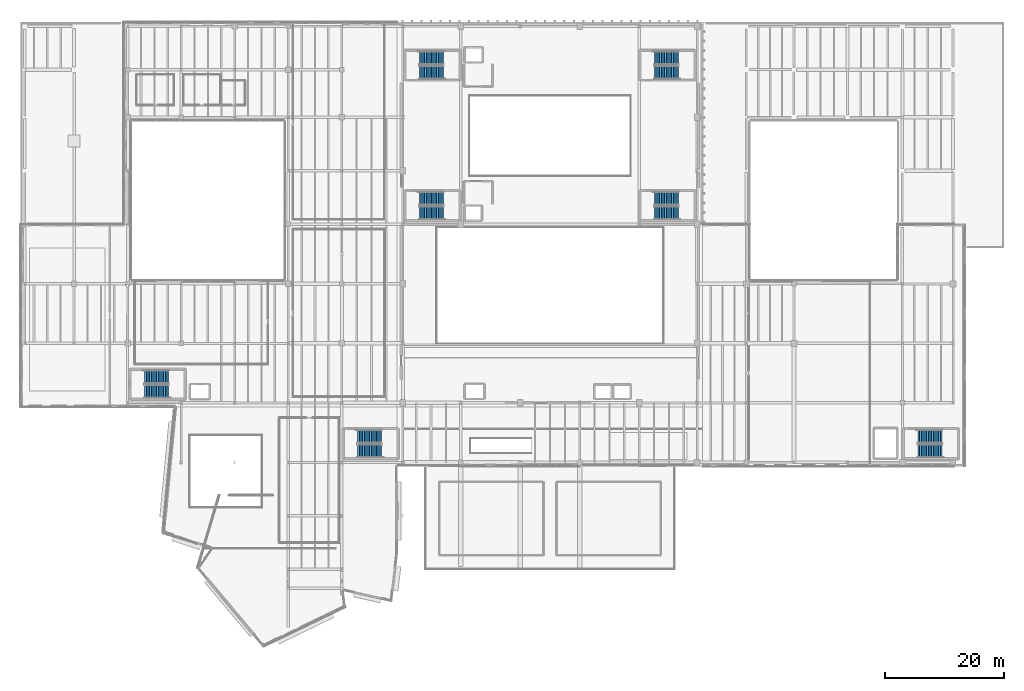
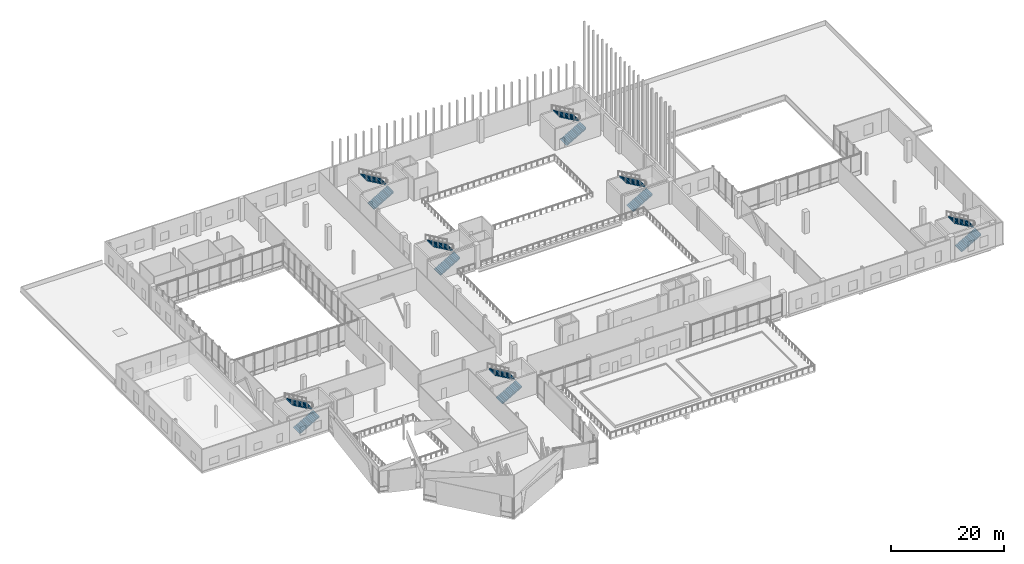
# One storey, part 48 of 60: 14 stair flights, 7 elements without a shape of their own.
"""IFC4 building model written with IfcOpenShell, lengths in metres."""

from ifc_helpers import new_model, si_unit, direction, frame, origin, place, context, subcontext, project, spatial, polyline, outline, extrude, material, type_object, element, aggregate, save


model = new_model("IFC4")

# Units and contexts
model_context = context("Model", 3, precision=1e-05, world=origin(), true_north=direction((0.0, 1.0)))
body_context = subcontext(model_context, "Body", "Model", "MODEL_VIEW")
ifc_project = project(units=[si_unit("LENGTHUNIT", "METRE"), si_unit("AREAUNIT", "SQUARE_METRE"), si_unit("VOLUMEUNIT", "CUBIC_METRE"), si_unit("PLANEANGLEUNIT", "RADIAN"), si_unit("MASSUNIT", "GRAM", prefix="KILO")], contexts=[model_context])

# Site, building, storey
site_placement = place(None, origin())
site = spatial("IfcSite", under=ifc_project, at=site_placement, CompositionType="ELEMENT")
building_placement = place(site_placement, origin())
building = spatial("IfcBuilding", under=site, at=building_placement, Name="Trimount Lyric Opera House", CompositionType="ELEMENT")
storey_placement = place(building_placement, frame((0.0, 0.0, 15.0)))
storey = spatial("IfcBuildingStorey", under=building, at=storey_placement, Name="L03", CompositionType="ELEMENT", Elevation=15.0)

# Stair, stair flights
ifc_material_1 = material(Name="Concrete C40/50", Category="concrete")
stair_type = type_object("IfcStairType", Name="STR-CORE-A", PredefinedType="TWO_QUARTER_TURN_STAIR", material=ifc_material_1)
stair_1_placement = place(storey_placement, origin())
stair_1 = element("IfcStair", 1, at=stair_1_placement, inside=storey, type_object=stair_type, Name="L03 Exit Stair ST-01", PredefinedType="TWO_QUARTER_TURN_STAIR")
ifc_material_2 = material(Name="Concrete C40/50", Category="concrete")
stair_flight_type = type_object("IfcStairFlightType", Name="SFL-CORE-A", PredefinedType="STRAIGHT", material=ifc_material_2)
stair_flight_1_placement = place(storey_placement, frame((67.050048828125, 109.52490234375, 0.0), z_axis=(0.0, 0.0, 1.0), x_axis=(1.0, 0.0, 0.0)))
stair_flight_1 = element("IfcStairFlight", 2, at=stair_flight_1_placement, type_object=stair_flight_type, Name="ST-01 flight 1", NumberOfRisers=15, NumberOfTreads=14, PredefinedType="STRAIGHT", RiserHeight=0.166666667, TreadLength=0.29, context=body_context, shape_type="SweptSolid", body=[
    extrude(outline(polyline([(0.0, 0.0), (0.0, 0.166748046875), (0.2900390625, 0.166748046875), (0.2900390625, 0.333251953125), (0.580078125, 0.333251953125), (0.580078125, 0.5), (0.8701171875, 0.5), (0.8701171875, 0.666748046875), (1.159912109375, 0.666748046875), (1.159912109375, 0.833251953125), (1.449951171875, 0.833251953125), (1.449951171875, 1.0), (1.739990234375, 1.0), (1.739990234375, 1.166748046875), (2.030029296875, 1.166748046875), (2.030029296875, 1.333251953125), (2.320068359375, 1.333251953125), (2.320068359375, 1.5), (2.610107421875, 1.5), (2.610107421875, 1.666748046875), (2.89990234375, 1.666748046875), (2.89990234375, 1.833251953125), (3.18994140625, 1.833251953125), (3.18994140625, 2.0), (3.47998046875, 2.0), (3.47998046875, 2.166748046875), (3.77001953125, 2.166748046875), (3.77001953125, 2.333251953125), (4.0439453125, 2.333251953125), (4.06005859375, 2.5), (4.06005859375, 2.160400390625), (0.30078125, 0.0), (0.0, 0.0)])), frame((0.0, 1.125, 0.0), z_axis=(0.0, -1.0, 0.0), x_axis=(1.0, 0.0, 0.0)), (0.0, 0.0, 1.0), 2.25),
])
stair_flight_2_placement = place(storey_placement, frame((71.110107421875, 111.97509765625, 2.5), z_axis=(0.0, 0.0, 1.0), x_axis=(-1.0, 0.0, 0.0)))
stair_flight_2 = element("IfcStairFlight", 3, at=stair_flight_2_placement, type_object=stair_flight_type, Name="ST-01 flight 2", NumberOfRisers=15, NumberOfTreads=14, PredefinedType="STRAIGHT", RiserHeight=0.166666667, TreadLength=0.29, context=body_context, shape_type="SweptSolid", body=[
    extrude(outline(polyline([(0.0, 0.0), (0.0, 0.166748046875), (0.2900390625, 0.166748046875), (0.2900390625, 0.333251953125), (0.580078125, 0.333251953125), (0.580078125, 0.5), (0.8701171875, 0.5), (0.8701171875, 0.666748046875), (1.159912109375, 0.666748046875), (1.159912109375, 0.833251953125), (1.449951171875, 0.833251953125), (1.449951171875, 1.0), (1.739990234375, 1.0), (1.739990234375, 1.166748046875), (2.030029296875, 1.166748046875), (2.030029296875, 1.333251953125), (2.320068359375, 1.333251953125), (2.320068359375, 1.5), (2.610107421875, 1.5), (2.610107421875, 1.666748046875), (2.89990234375, 1.666748046875), (2.89990234375, 1.833251953125), (3.18994140625, 1.833251953125), (3.18994140625, 2.0), (3.47998046875, 2.0), (3.47998046875, 2.166748046875), (3.77001953125, 2.166748046875), (3.77001953125, 2.333251953125), (4.0439453125, 2.333251953125), (4.06005859375, 2.5), (4.06005859375, 2.160400390625), (0.30078125, 0.0), (0.0, 0.0)])), frame((0.0, 1.125, 0.0), z_axis=(0.0, -1.0, 0.0), x_axis=(1.0, 0.0, 0.0)), (0.0, 0.0, 1.0), 2.25),
])
aggregate(stair_1, [stair_flight_1, stair_flight_2])

stair_2_placement = place(storey_placement, origin())
stair_2 = element("IfcStair", 4, at=stair_2_placement, inside=storey, type_object=stair_type, Name="L03 Exit Stair ST-02", PredefinedType="TWO_QUARTER_TURN_STAIR")
stair_flight_3_placement = place(storey_placement, frame((106.550048828125, 109.52490234375, 0.0), z_axis=(0.0, 0.0, 1.0), x_axis=(1.0, 0.0, 0.0)))
stair_flight_3 = element("IfcStairFlight", 5, at=stair_flight_3_placement, type_object=stair_flight_type, Name="ST-02 flight 1", NumberOfRisers=15, NumberOfTreads=14, PredefinedType="STRAIGHT", RiserHeight=0.166666667, TreadLength=0.29, context=body_context, shape_type="SweptSolid", body=[
    extrude(outline(polyline([(0.0, 0.0), (0.0, 0.166748046875), (0.2900390625, 0.166748046875), (0.2900390625, 0.333251953125), (0.580078125, 0.333251953125), (0.580078125, 0.5), (0.8701171875, 0.5), (0.8701171875, 0.666748046875), (1.159912109375, 0.666748046875), (1.159912109375, 0.833251953125), (1.449951171875, 0.833251953125), (1.449951171875, 1.0), (1.739990234375, 1.0), (1.739990234375, 1.166748046875), (2.030029296875, 1.166748046875), (2.030029296875, 1.333251953125), (2.320068359375, 1.333251953125), (2.320068359375, 1.5), (2.610107421875, 1.5), (2.610107421875, 1.666748046875), (2.89990234375, 1.666748046875), (2.89990234375, 1.833251953125), (3.18994140625, 1.833251953125), (3.18994140625, 2.0), (3.47998046875, 2.0), (3.47998046875, 2.166748046875), (3.77001953125, 2.166748046875), (3.77001953125, 2.333251953125), (4.0439453125, 2.333251953125), (4.06005859375, 2.5), (4.06005859375, 2.160400390625), (0.30078125, 0.0), (0.0, 0.0)])), frame((0.0, 1.125, 0.0), z_axis=(0.0, -1.0, 0.0), x_axis=(1.0, 0.0, 0.0)), (0.0, 0.0, 1.0), 2.25),
])
stair_flight_4_placement = place(storey_placement, frame((110.610107421875, 111.97509765625, 2.5), z_axis=(0.0, 0.0, 1.0), x_axis=(-1.0, 0.0, 0.0)))
stair_flight_4 = element("IfcStairFlight", 6, at=stair_flight_4_placement, type_object=stair_flight_type, Name="ST-02 flight 2", NumberOfRisers=15, NumberOfTreads=14, PredefinedType="STRAIGHT", RiserHeight=0.166666667, TreadLength=0.29, context=body_context, shape_type="SweptSolid", body=[
    extrude(outline(polyline([(0.0, 0.0), (0.0, 0.166748046875), (0.2900390625, 0.166748046875), (0.2900390625, 0.333251953125), (0.580078125, 0.333251953125), (0.580078125, 0.5), (0.8701171875, 0.5), (0.8701171875, 0.666748046875), (1.159912109375, 0.666748046875), (1.159912109375, 0.833251953125), (1.449951171875, 0.833251953125), (1.449951171875, 1.0), (1.739990234375, 1.0), (1.739990234375, 1.166748046875), (2.030029296875, 1.166748046875), (2.030029296875, 1.333251953125), (2.320068359375, 1.333251953125), (2.320068359375, 1.5), (2.610107421875, 1.5), (2.610107421875, 1.666748046875), (2.89990234375, 1.666748046875), (2.89990234375, 1.833251953125), (3.18994140625, 1.833251953125), (3.18994140625, 2.0), (3.47998046875, 2.0), (3.47998046875, 2.166748046875), (3.77001953125, 2.166748046875), (3.77001953125, 2.333251953125), (4.0439453125, 2.333251953125), (4.06005859375, 2.5), (4.06005859375, 2.160400390625), (0.30078125, 0.0), (0.0, 0.0)])), frame((0.0, 1.125, 0.0), z_axis=(0.0, -1.0, 0.0), x_axis=(1.0, 0.0, 0.0)), (0.0, 0.0, 1.0), 2.25),
])
aggregate(stair_2, [stair_flight_3, stair_flight_4])

stair_3_placement = place(storey_placement, origin())
stair_3 = element("IfcStair", 7, at=stair_3_placement, inside=storey, type_object=stair_type, Name="L03 Exit Stair ST-03", PredefinedType="TWO_QUARTER_TURN_STAIR")
stair_flight_5_placement = place(storey_placement, frame((67.050048828125, 85.925048828125, 0.0), z_axis=(0.0, 0.0, 1.0), x_axis=(1.0, 0.0, 0.0)))
stair_flight_5 = element("IfcStairFlight", 8, at=stair_flight_5_placement, type_object=stair_flight_type, Name="ST-03 flight 1", NumberOfRisers=15, NumberOfTreads=14, PredefinedType="STRAIGHT", RiserHeight=0.166666667, TreadLength=0.29, context=body_context, shape_type="SweptSolid", body=[
    extrude(outline(polyline([(0.0, 0.0), (0.0, 0.166748046875), (0.2900390625, 0.166748046875), (0.2900390625, 0.333251953125), (0.580078125, 0.333251953125), (0.580078125, 0.5), (0.8701171875, 0.5), (0.8701171875, 0.666748046875), (1.159912109375, 0.666748046875), (1.159912109375, 0.833251953125), (1.449951171875, 0.833251953125), (1.449951171875, 1.0), (1.739990234375, 1.0), (1.739990234375, 1.166748046875), (2.030029296875, 1.166748046875), (2.030029296875, 1.333251953125), (2.320068359375, 1.333251953125), (2.320068359375, 1.5), (2.610107421875, 1.5), (2.610107421875, 1.666748046875), (2.89990234375, 1.666748046875), (2.89990234375, 1.833251953125), (3.18994140625, 1.833251953125), (3.18994140625, 2.0), (3.47998046875, 2.0), (3.47998046875, 2.166748046875), (3.77001953125, 2.166748046875), (3.77001953125, 2.333251953125), (4.0439453125, 2.333251953125), (4.06005859375, 2.5), (4.06005859375, 2.160400390625), (0.30078125, 0.0), (0.0, 0.0)])), frame((0.0, 1.125, 0.0), z_axis=(0.0, -1.0, 0.0), x_axis=(1.0, 0.0, 0.0)), (0.0, 0.0, 1.0), 2.25),
])
stair_flight_6_placement = place(storey_placement, frame((71.110107421875, 88.375, 2.5), z_axis=(0.0, 0.0, 1.0), x_axis=(-1.0, 0.0, 0.0)))
stair_flight_6 = element("IfcStairFlight", 9, at=stair_flight_6_placement, type_object=stair_flight_type, Name="ST-03 flight 2", NumberOfRisers=15, NumberOfTreads=14, PredefinedType="STRAIGHT", RiserHeight=0.166666667, TreadLength=0.29, context=body_context, shape_type="SweptSolid", body=[
    extrude(outline(polyline([(0.0, 0.0), (0.0, 0.166748046875), (0.2900390625, 0.166748046875), (0.2900390625, 0.333251953125), (0.580078125, 0.333251953125), (0.580078125, 0.5), (0.8701171875, 0.5), (0.8701171875, 0.666748046875), (1.159912109375, 0.666748046875), (1.159912109375, 0.833251953125), (1.449951171875, 0.833251953125), (1.449951171875, 1.0), (1.739990234375, 1.0), (1.739990234375, 1.166748046875), (2.030029296875, 1.166748046875), (2.030029296875, 1.333251953125), (2.320068359375, 1.333251953125), (2.320068359375, 1.5), (2.610107421875, 1.5), (2.610107421875, 1.666748046875), (2.89990234375, 1.666748046875), (2.89990234375, 1.833251953125), (3.18994140625, 1.833251953125), (3.18994140625, 2.0), (3.47998046875, 2.0), (3.47998046875, 2.166748046875), (3.77001953125, 2.166748046875), (3.77001953125, 2.333251953125), (4.0439453125, 2.333251953125), (4.06005859375, 2.5), (4.06005859375, 2.160400390625), (0.30078125, 0.0), (0.0, 0.0)])), frame((0.0, 1.125, 0.0), z_axis=(0.0, -1.0, 0.0), x_axis=(1.0, 0.0, 0.0)), (0.0, 0.0, 1.0), 2.25),
])
aggregate(stair_3, [stair_flight_5, stair_flight_6])

stair_4_placement = place(storey_placement, origin())
stair_4 = element("IfcStair", 10, at=stair_4_placement, inside=storey, type_object=stair_type, Name="L03 Exit Stair ST-04", PredefinedType="TWO_QUARTER_TURN_STAIR")
stair_flight_7_placement = place(storey_placement, frame((106.550048828125, 85.925048828125, 0.0), z_axis=(0.0, 0.0, 1.0), x_axis=(1.0, 0.0, 0.0)))
stair_flight_7 = element("IfcStairFlight", 11, at=stair_flight_7_placement, type_object=stair_flight_type, Name="ST-04 flight 1", NumberOfRisers=15, NumberOfTreads=14, PredefinedType="STRAIGHT", RiserHeight=0.166666667, TreadLength=0.29, context=body_context, shape_type="SweptSolid", body=[
    extrude(outline(polyline([(0.0, 0.0), (0.0, 0.166748046875), (0.2900390625, 0.166748046875), (0.2900390625, 0.333251953125), (0.580078125, 0.333251953125), (0.580078125, 0.5), (0.8701171875, 0.5), (0.8701171875, 0.666748046875), (1.159912109375, 0.666748046875), (1.159912109375, 0.833251953125), (1.449951171875, 0.833251953125), (1.449951171875, 1.0), (1.739990234375, 1.0), (1.739990234375, 1.166748046875), (2.030029296875, 1.166748046875), (2.030029296875, 1.333251953125), (2.320068359375, 1.333251953125), (2.320068359375, 1.5), (2.610107421875, 1.5), (2.610107421875, 1.666748046875), (2.89990234375, 1.666748046875), (2.89990234375, 1.833251953125), (3.18994140625, 1.833251953125), (3.18994140625, 2.0), (3.47998046875, 2.0), (3.47998046875, 2.166748046875), (3.77001953125, 2.166748046875), (3.77001953125, 2.333251953125), (4.0439453125, 2.333251953125), (4.06005859375, 2.5), (4.06005859375, 2.160400390625), (0.30078125, 0.0), (0.0, 0.0)])), frame((0.0, 1.125, 0.0), z_axis=(0.0, -1.0, 0.0), x_axis=(1.0, 0.0, 0.0)), (0.0, 0.0, 1.0), 2.25),
])
stair_flight_8_placement = place(storey_placement, frame((110.610107421875, 88.375, 2.5), z_axis=(0.0, 0.0, 1.0), x_axis=(-1.0, 0.0, 0.0)))
stair_flight_8 = element("IfcStairFlight", 12, at=stair_flight_8_placement, type_object=stair_flight_type, Name="ST-04 flight 2", NumberOfRisers=15, NumberOfTreads=14, PredefinedType="STRAIGHT", RiserHeight=0.166666667, TreadLength=0.29, context=body_context, shape_type="SweptSolid", body=[
    extrude(outline(polyline([(0.0, 0.0), (0.0, 0.166748046875), (0.2900390625, 0.166748046875), (0.2900390625, 0.333251953125), (0.580078125, 0.333251953125), (0.580078125, 0.5), (0.8701171875, 0.5), (0.8701171875, 0.666748046875), (1.159912109375, 0.666748046875), (1.159912109375, 0.833251953125), (1.449951171875, 0.833251953125), (1.449951171875, 1.0), (1.739990234375, 1.0), (1.739990234375, 1.166748046875), (2.030029296875, 1.166748046875), (2.030029296875, 1.333251953125), (2.320068359375, 1.333251953125), (2.320068359375, 1.5), (2.610107421875, 1.5), (2.610107421875, 1.666748046875), (2.89990234375, 1.666748046875), (2.89990234375, 1.833251953125), (3.18994140625, 1.833251953125), (3.18994140625, 2.0), (3.47998046875, 2.0), (3.47998046875, 2.166748046875), (3.77001953125, 2.166748046875), (3.77001953125, 2.333251953125), (4.0439453125, 2.333251953125), (4.06005859375, 2.5), (4.06005859375, 2.160400390625), (0.30078125, 0.0), (0.0, 0.0)])), frame((0.0, 1.125, 0.0), z_axis=(0.0, -1.0, 0.0), x_axis=(1.0, 0.0, 0.0)), (0.0, 0.0, 1.0), 2.25),
])
aggregate(stair_4, [stair_flight_7, stair_flight_8])

stair_5_placement = place(storey_placement, origin())
stair_5 = element("IfcStair", 13, at=stair_5_placement, inside=storey, type_object=stair_type, Name="L03 Exit Stair ST-05", PredefinedType="TWO_QUARTER_TURN_STAIR")
stair_flight_9_placement = place(storey_placement, frame((150.85009765625, 45.925048828125, 0.0), z_axis=(0.0, 0.0, 1.0), x_axis=(1.0, 0.0, 0.0)))
stair_flight_9 = element("IfcStairFlight", 14, at=stair_flight_9_placement, type_object=stair_flight_type, Name="ST-05 flight 1", NumberOfRisers=15, NumberOfTreads=14, PredefinedType="STRAIGHT", RiserHeight=0.166666667, TreadLength=0.29, context=body_context, shape_type="SweptSolid", body=[
    extrude(outline(polyline([(0.0, 0.0), (0.0, 0.166748046875), (0.2900390625, 0.166748046875), (0.2900390625, 0.333251953125), (0.580078125, 0.333251953125), (0.580078125, 0.5), (0.8701171875, 0.5), (0.8701171875, 0.666748046875), (1.159912109375, 0.666748046875), (1.159912109375, 0.833251953125), (1.449951171875, 0.833251953125), (1.449951171875, 1.0), (1.739990234375, 1.0), (1.739990234375, 1.166748046875), (2.030029296875, 1.166748046875), (2.030029296875, 1.333251953125), (2.320068359375, 1.333251953125), (2.320068359375, 1.5), (2.610107421875, 1.5), (2.610107421875, 1.666748046875), (2.89990234375, 1.666748046875), (2.89990234375, 1.833251953125), (3.18994140625, 1.833251953125), (3.18994140625, 2.0), (3.47998046875, 2.0), (3.47998046875, 2.166748046875), (3.77001953125, 2.166748046875), (3.77001953125, 2.333251953125), (4.0439453125, 2.333251953125), (4.06005859375, 2.5), (4.06005859375, 2.160400390625), (0.30078125, 0.0), (0.0, 0.0)])), frame((0.0, 1.125, 0.0), z_axis=(0.0, -1.0, 0.0), x_axis=(1.0, 0.0, 0.0)), (0.0, 0.0, 1.0), 2.25),
])
stair_flight_10_placement = place(storey_placement, frame((154.909912109375, 48.375, 2.5), z_axis=(0.0, 0.0, 1.0), x_axis=(-1.0, 0.0, 0.0)))
stair_flight_10 = element("IfcStairFlight", 15, at=stair_flight_10_placement, type_object=stair_flight_type, Name="ST-05 flight 2", NumberOfRisers=15, NumberOfTreads=14, PredefinedType="STRAIGHT", RiserHeight=0.166666667, TreadLength=0.29, context=body_context, shape_type="SweptSolid", body=[
    extrude(outline(polyline([(0.0, 0.0), (0.0, 0.166748046875), (0.2900390625, 0.166748046875), (0.2900390625, 0.333251953125), (0.580078125, 0.333251953125), (0.580078125, 0.5), (0.8701171875, 0.5), (0.8701171875, 0.666748046875), (1.159912109375, 0.666748046875), (1.159912109375, 0.833251953125), (1.449951171875, 0.833251953125), (1.449951171875, 1.0), (1.739990234375, 1.0), (1.739990234375, 1.166748046875), (2.030029296875, 1.166748046875), (2.030029296875, 1.333251953125), (2.320068359375, 1.333251953125), (2.320068359375, 1.5), (2.610107421875, 1.5), (2.610107421875, 1.666748046875), (2.89990234375, 1.666748046875), (2.89990234375, 1.833251953125), (3.18994140625, 1.833251953125), (3.18994140625, 2.0), (3.47998046875, 2.0), (3.47998046875, 2.166748046875), (3.77001953125, 2.166748046875), (3.77001953125, 2.333251953125), (4.0439453125, 2.333251953125), (4.06005859375, 2.5), (4.06005859375, 2.160400390625), (0.30078125, 0.0), (0.0, 0.0)])), frame((0.0, 1.125, 0.0), z_axis=(0.0, -1.0, 0.0), x_axis=(1.0, 0.0, 0.0)), (0.0, 0.0, 1.0), 2.25),
])
aggregate(stair_5, [stair_flight_9, stair_flight_10])

stair_6_placement = place(storey_placement, origin())
stair_6 = element("IfcStair", 16, at=stair_6_placement, inside=storey, type_object=stair_type, Name="L03 Exit Stair ST-06", PredefinedType="TWO_QUARTER_TURN_STAIR")
stair_flight_11_placement = place(storey_placement, frame((20.85009765625, 55.925048828125, 0.0), z_axis=(0.0, 0.0, 1.0), x_axis=(1.0, 0.0, 0.0)))
stair_flight_11 = element("IfcStairFlight", 17, at=stair_flight_11_placement, type_object=stair_flight_type, Name="ST-06 flight 1", NumberOfRisers=15, NumberOfTreads=14, PredefinedType="STRAIGHT", RiserHeight=0.166666667, TreadLength=0.29, context=body_context, shape_type="SweptSolid", body=[
    extrude(outline(polyline([(0.0, 0.0), (0.0, 0.166748046875), (0.2900390625, 0.166748046875), (0.2900390625, 0.333251953125), (0.580078125, 0.333251953125), (0.580078125, 0.5), (0.8701171875, 0.5), (0.8701171875, 0.666748046875), (1.159912109375, 0.666748046875), (1.159912109375, 0.833251953125), (1.449951171875, 0.833251953125), (1.449951171875, 1.0), (1.739990234375, 1.0), (1.739990234375, 1.166748046875), (2.030029296875, 1.166748046875), (2.030029296875, 1.333251953125), (2.320068359375, 1.333251953125), (2.320068359375, 1.5), (2.610107421875, 1.5), (2.610107421875, 1.666748046875), (2.89990234375, 1.666748046875), (2.89990234375, 1.833251953125), (3.18994140625, 1.833251953125), (3.18994140625, 2.0), (3.47998046875, 2.0), (3.47998046875, 2.166748046875), (3.77001953125, 2.166748046875), (3.77001953125, 2.333251953125), (4.0439453125, 2.333251953125), (4.06005859375, 2.5), (4.06005859375, 2.160400390625), (0.30078125, 0.0), (0.0, 0.0)])), frame((0.0, 1.125, 0.0), z_axis=(0.0, -1.0, 0.0), x_axis=(1.0, 0.0, 0.0)), (0.0, 0.0, 1.0), 2.25),
])
stair_flight_12_placement = place(storey_placement, frame((24.909912109375, 58.375, 2.5), z_axis=(0.0, 0.0, 1.0), x_axis=(-1.0, 0.0, 0.0)))
stair_flight_12 = element("IfcStairFlight", 18, at=stair_flight_12_placement, type_object=stair_flight_type, Name="ST-06 flight 2", NumberOfRisers=15, NumberOfTreads=14, PredefinedType="STRAIGHT", RiserHeight=0.166666667, TreadLength=0.29, context=body_context, shape_type="SweptSolid", body=[
    extrude(outline(polyline([(0.0, 0.0), (0.0, 0.166748046875), (0.2900390625, 0.166748046875), (0.2900390625, 0.333251953125), (0.580078125, 0.333251953125), (0.580078125, 0.5), (0.8701171875, 0.5), (0.8701171875, 0.666748046875), (1.159912109375, 0.666748046875), (1.159912109375, 0.833251953125), (1.449951171875, 0.833251953125), (1.449951171875, 1.0), (1.739990234375, 1.0), (1.739990234375, 1.166748046875), (2.030029296875, 1.166748046875), (2.030029296875, 1.333251953125), (2.320068359375, 1.333251953125), (2.320068359375, 1.5), (2.610107421875, 1.5), (2.610107421875, 1.666748046875), (2.89990234375, 1.666748046875), (2.89990234375, 1.833251953125), (3.18994140625, 1.833251953125), (3.18994140625, 2.0), (3.47998046875, 2.0), (3.47998046875, 2.166748046875), (3.77001953125, 2.166748046875), (3.77001953125, 2.333251953125), (4.0439453125, 2.333251953125), (4.06005859375, 2.5), (4.06005859375, 2.160400390625), (0.30078125, 0.0), (0.0, 0.0)])), frame((0.0, 1.125, 0.0), z_axis=(0.0, -1.0, 0.0), x_axis=(1.0, 0.0, 0.0)), (0.0, 0.0, 1.0), 2.25),
])
aggregate(stair_6, [stair_flight_11, stair_flight_12])

stair_7_placement = place(storey_placement, origin())
stair_7 = element("IfcStair", 19, at=stair_7_placement, inside=storey, type_object=stair_type, Name="L03 Exit Stair ST-07", PredefinedType="TWO_QUARTER_TURN_STAIR")
stair_flight_13_placement = place(storey_placement, frame((56.64990234375, 45.925048828125, 0.0), z_axis=(0.0, 0.0, 1.0), x_axis=(1.0, 0.0, 0.0)))
stair_flight_13 = element("IfcStairFlight", 20, at=stair_flight_13_placement, type_object=stair_flight_type, Name="ST-07 flight 1", NumberOfRisers=15, NumberOfTreads=14, PredefinedType="STRAIGHT", RiserHeight=0.166666667, TreadLength=0.29, context=body_context, shape_type="SweptSolid", body=[
    extrude(outline(polyline([(0.0, 0.0), (0.0, 0.166748046875), (0.2900390625, 0.166748046875), (0.2900390625, 0.333251953125), (0.580078125, 0.333251953125), (0.580078125, 0.5), (0.8701171875, 0.5), (0.8701171875, 0.666748046875), (1.159912109375, 0.666748046875), (1.159912109375, 0.833251953125), (1.449951171875, 0.833251953125), (1.449951171875, 1.0), (1.739990234375, 1.0), (1.739990234375, 1.166748046875), (2.030029296875, 1.166748046875), (2.030029296875, 1.333251953125), (2.320068359375, 1.333251953125), (2.320068359375, 1.5), (2.610107421875, 1.5), (2.610107421875, 1.666748046875), (2.89990234375, 1.666748046875), (2.89990234375, 1.833251953125), (3.18994140625, 1.833251953125), (3.18994140625, 2.0), (3.47998046875, 2.0), (3.47998046875, 2.166748046875), (3.77001953125, 2.166748046875), (3.77001953125, 2.333251953125), (4.0439453125, 2.333251953125), (4.06005859375, 2.5), (4.06005859375, 2.160400390625), (0.30078125, 0.0), (0.0, 0.0)])), frame((0.0, 1.125, 0.0), z_axis=(0.0, -1.0, 0.0), x_axis=(1.0, 0.0, 0.0)), (0.0, 0.0, 1.0), 2.25),
])
stair_flight_14_placement = place(storey_placement, frame((60.7099609375, 48.375, 2.5), z_axis=(0.0, 0.0, 1.0), x_axis=(-1.0, 0.0, 0.0)))
stair_flight_14 = element("IfcStairFlight", 21, at=stair_flight_14_placement, type_object=stair_flight_type, Name="ST-07 flight 2", NumberOfRisers=15, NumberOfTreads=14, PredefinedType="STRAIGHT", RiserHeight=0.166666667, TreadLength=0.29, context=body_context, shape_type="SweptSolid", body=[
    extrude(outline(polyline([(0.0, 0.0), (0.0, 0.166748046875), (0.2900390625, 0.166748046875), (0.2900390625, 0.333251953125), (0.580078125, 0.333251953125), (0.580078125, 0.5), (0.8701171875, 0.5), (0.8701171875, 0.666748046875), (1.159912109375, 0.666748046875), (1.159912109375, 0.833251953125), (1.449951171875, 0.833251953125), (1.449951171875, 1.0), (1.739990234375, 1.0), (1.739990234375, 1.166748046875), (2.030029296875, 1.166748046875), (2.030029296875, 1.333251953125), (2.320068359375, 1.333251953125), (2.320068359375, 1.5), (2.610107421875, 1.5), (2.610107421875, 1.666748046875), (2.89990234375, 1.666748046875), (2.89990234375, 1.833251953125), (3.18994140625, 1.833251953125), (3.18994140625, 2.0), (3.47998046875, 2.0), (3.47998046875, 2.166748046875), (3.77001953125, 2.166748046875), (3.77001953125, 2.333251953125), (4.0439453125, 2.333251953125), (4.06005859375, 2.5), (4.06005859375, 2.160400390625), (0.30078125, 0.0), (0.0, 0.0)])), frame((0.0, 1.125, 0.0), z_axis=(0.0, -1.0, 0.0), x_axis=(1.0, 0.0, 0.0)), (0.0, 0.0, 1.0), 2.25),
])
aggregate(stair_7, [stair_flight_13, stair_flight_14])

save(model, "model.ifc")
